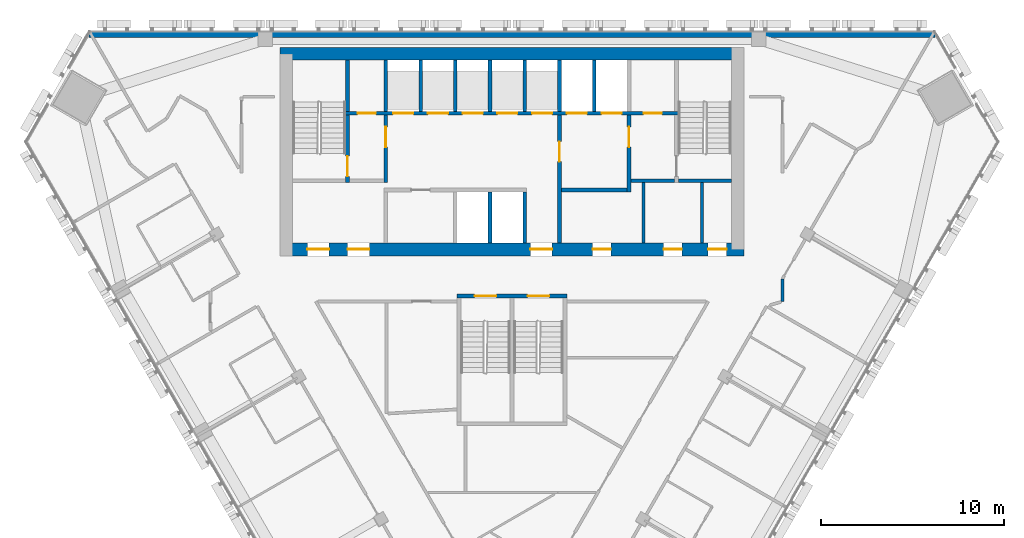
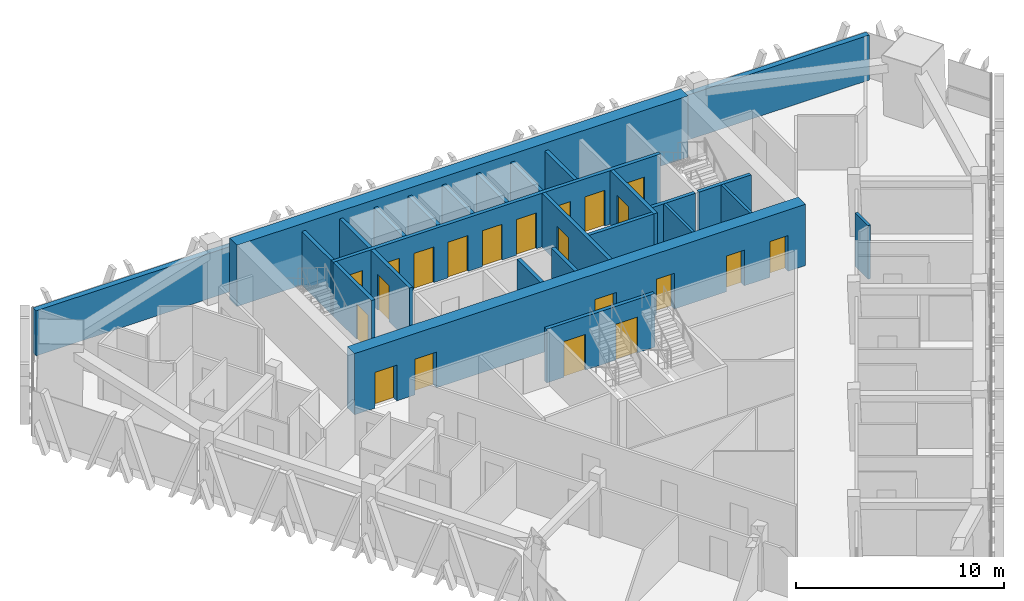
# One storey, part 11 of 16: 25 walls, 21 doors, 21 openings.
"""IFC4 building model written with IfcOpenShell, lengths in metres."""

from ifc_helpers import new_model, si_unit, direction, frame, frame_2d, origin, place, context, subcontext, project, spatial, rectangle, extrude, material, layer, layer_set, type_object, element, fill, save


model = new_model("IFC4")

# Units and contexts
model_context = context("Model", 3, precision=1e-05, world=origin(), true_north=direction((0.0, 1.0)))
body_context = subcontext(model_context, "Body", "Model", "MODEL_VIEW")
ifc_project = project(units=[si_unit("LENGTHUNIT", "METRE"), si_unit("AREAUNIT", "SQUARE_METRE"), si_unit("VOLUMEUNIT", "CUBIC_METRE"), si_unit("PLANEANGLEUNIT", "RADIAN"), si_unit("MASSUNIT", "GRAM", prefix="KILO")], contexts=[model_context])

# Site, building, storey
site_placement = place(None, origin())
site = spatial("IfcSite", under=ifc_project, at=site_placement, CompositionType="ELEMENT")
building_placement = place(site_placement, origin())
building = spatial("IfcBuilding", under=site, at=building_placement, Name="Altiplano Prism Tower", CompositionType="ELEMENT")
storey_placement = place(building_placement, frame((0.0, 0.0, 167.39990234375)))
storey = spatial("IfcBuildingStorey", under=building, at=storey_placement, Name="L43", CompositionType="ELEMENT", Elevation=167.39990234375)

# Wall, openings, doors
ifc_material_1 = material(Name="Concrete C60/75", Category="concrete")
ifc_layer_1 = layer(ifc_material_1, 0.699951171875)
ifc_layer_set_1 = layer_set([ifc_layer_1], Name="Concrete C60/75")
wall_type_1 = type_object("IfcWallType", Name="Core wall 700", PredefinedType="SHEAR", material=ifc_layer_set_1)
wall_1_placement = place(storey_placement, frame((72.64990234375, 93.050048828125, 0.0), z_axis=(0.0, 0.0, 1.0), x_axis=(1.0, 0.0, 0.0)))
wall_1 = element("IfcWall", 1, at=wall_1_placement, inside=storey, type_object=wall_type_1, Name="Core wall S L43", PredefinedType="SHEAR", context=body_context, shape_type="SweptSolid", body=[
    extrude(rectangle(XDim=25.050048828125, YDim=0.699951171875, at=frame_2d((12.52490234375, 0.0))), origin(), (0.0, 0.0, 1.0), 3.60009765625),
])
opening_1_placement = place(wall_1_placement, frame((1.14990234375, 0.0, 0.0)))
opening_1 = element("IfcOpeningElement", 2, at=opening_1_placement, cuts=wall_1, Name="Opening D3173", PredefinedType="OPENING", context=body_context, shape_type="SweptSolid", body=[
    extrude(rectangle(XDim=1.199951171875, YDim=2.10009765625, at=frame_2d((0.60009765625, 1.050048828125))), frame((0.0, 0.3603515625, 0.0), z_axis=(0.0, -1.0, 0.0), x_axis=(1.0, 0.0, 0.0)), (0.0, 0.0, 1.0), 0.720947265625),
])
opening_2_placement = place(wall_1_placement, frame((3.35009765625, 0.0, 0.0)))
opening_2 = element("IfcOpeningElement", 3, at=opening_2_placement, cuts=wall_1, Name="Opening D3174", PredefinedType="OPENING", context=body_context, shape_type="SweptSolid", body=[
    extrude(rectangle(XDim=1.199951171875, YDim=2.10009765625, at=frame_2d((0.60009765625, 1.050048828125))), frame((0.0, 0.3603515625, 0.0), z_axis=(0.0, -1.0, 0.0), x_axis=(1.0, 0.0, 0.0)), (0.0, 0.0, 1.0), 0.720947265625),
])
opening_3_placement = place(wall_1_placement, frame((13.35009765625, 0.0, 0.0)))
opening_3 = element("IfcOpeningElement", 4, at=opening_3_placement, cuts=wall_1, Name="Opening D3175", PredefinedType="OPENING", context=body_context, shape_type="SweptSolid", body=[
    extrude(rectangle(XDim=1.199951171875, YDim=2.10009765625, at=frame_2d((0.60009765625, 1.050048828125))), frame((0.0, 0.3603515625, 0.0), z_axis=(0.0, -1.0, 0.0), x_axis=(1.0, 0.0, 0.0)), (0.0, 0.0, 1.0), 0.720947265625),
])
opening_4_placement = place(wall_1_placement, frame((16.762451171875, 0.0, 0.0)))
opening_4 = element("IfcOpeningElement", 5, at=opening_4_placement, cuts=wall_1, Name="Opening D3178", PredefinedType="OPENING", context=body_context, shape_type="SweptSolid", body=[
    extrude(rectangle(XDim=1.0, YDim=2.10009765625, at=frame_2d((0.5, 1.050048828125))), frame((0.0, 0.3603515625, 0.0), z_axis=(0.0, -1.0, 0.0), x_axis=(1.0, 0.0, 0.0)), (0.0, 0.0, 1.0), 0.720947265625),
])
opening_5_placement = place(wall_1_placement, frame((20.64990234375, 0.0, 0.0)))
opening_5 = element("IfcOpeningElement", 6, at=opening_5_placement, cuts=wall_1, Name="Opening D3179", PredefinedType="OPENING", context=body_context, shape_type="SweptSolid", body=[
    extrude(rectangle(XDim=1.0, YDim=2.10009765625, at=frame_2d((0.5, 1.050048828125))), frame((0.0, 0.3603515625, 0.0), z_axis=(0.0, -1.0, 0.0), x_axis=(1.0, 0.0, 0.0)), (0.0, 0.0, 1.0), 0.720947265625),
])
opening_6_placement = place(wall_1_placement, frame((23.08740234375, 0.0, 0.0)))
opening_6 = element("IfcOpeningElement", 7, at=opening_6_placement, cuts=wall_1, Name="Opening D3180", PredefinedType="OPENING", context=body_context, shape_type="SweptSolid", body=[
    extrude(rectangle(XDim=1.0, YDim=2.10009765625, at=frame_2d((0.5, 1.050048828125))), frame((0.0, 0.3603515625, 0.0), z_axis=(0.0, -1.0, 0.0), x_axis=(1.0, 0.0, 0.0)), (0.0, 0.0, 1.0), 0.720947265625),
])
ifc_material_2 = material(Name="Fire-rated steel door", Category="steel")
door_type_1 = type_object("IfcDoorType", Name="Core room door 1000 x 2100", OperationType="NOTDEFINED", PredefinedType="NOTDEFINED", material=ifc_material_2)
door_1_placement = place(opening_4_placement, origin())
door_1 = element("IfcDoor", 8, at=door_1_placement, inside=storey, type_object=door_type_1, Name="Core room door D3178", OperationType="SINGLE_SWING_RIGHT", OverallHeight=2.10009765625, OverallWidth=1.0, PredefinedType="NOTDEFINED", context=body_context, shape_type="SweptSolid", body=[
    extrude(rectangle(XDim=1.0, YDim=2.10009765625, at=frame_2d((0.5, 1.050048828125))), frame((0.0, 0.02490234375, 0.0), z_axis=(0.0, -1.0, 0.0), x_axis=(1.0, 0.0, 0.0)), (0.0, 0.0, 1.0), 0.050048828125),
])
fill(opening_4, door_1)
door_2_placement = place(opening_5_placement, origin())
door_2 = element("IfcDoor", 9, at=door_2_placement, inside=storey, type_object=door_type_1, Name="Core room door D3179", OperationType="SINGLE_SWING_LEFT", OverallHeight=2.10009765625, OverallWidth=1.0, PredefinedType="NOTDEFINED", context=body_context, shape_type="SweptSolid", body=[
    extrude(rectangle(XDim=1.0, YDim=2.10009765625, at=frame_2d((0.5, 1.050048828125))), frame((0.0, 0.02490234375, 0.0), z_axis=(0.0, -1.0, 0.0), x_axis=(1.0, 0.0, 0.0)), (0.0, 0.0, 1.0), 0.050048828125),
])
fill(opening_5, door_2)
door_3_placement = place(opening_6_placement, origin())
door_3 = element("IfcDoor", 10, at=door_3_placement, inside=storey, type_object=door_type_1, Name="Core room door D3180", OperationType="SINGLE_SWING_RIGHT", OverallHeight=2.10009765625, OverallWidth=1.0, PredefinedType="NOTDEFINED", context=body_context, shape_type="SweptSolid", body=[
    extrude(rectangle(XDim=1.0, YDim=2.10009765625, at=frame_2d((0.5, 1.050048828125))), frame((0.0, 0.02490234375, 0.0), z_axis=(0.0, -1.0, 0.0), x_axis=(1.0, 0.0, 0.0)), (0.0, 0.0, 1.0), 0.050048828125),
])
fill(opening_6, door_3)
door_type_2 = type_object("IfcDoorType", Name="Lobby fire door 1200 x 2100", OperationType="NOTDEFINED", PredefinedType="NOTDEFINED", material=ifc_material_2)
door_4_placement = place(opening_1_placement, origin())
door_4 = element("IfcDoor", 11, at=door_4_placement, inside=storey, type_object=door_type_2, Name="Lobby fire door D3173", OperationType="SINGLE_SWING_RIGHT", OverallHeight=2.10009765625, OverallWidth=1.199951171875, PredefinedType="NOTDEFINED", context=body_context, shape_type="SweptSolid", body=[
    extrude(rectangle(XDim=1.199951171875, YDim=2.10009765625, at=frame_2d((0.60009765625, 1.050048828125))), frame((0.0, 0.02490234375, 0.0), z_axis=(0.0, -1.0, 0.0), x_axis=(1.0, 0.0, 0.0)), (0.0, 0.0, 1.0), 0.050048828125),
])
fill(opening_1, door_4)
door_5_placement = place(opening_2_placement, origin())
door_5 = element("IfcDoor", 12, at=door_5_placement, inside=storey, type_object=door_type_2, Name="Lobby fire door D3174", OperationType="SINGLE_SWING_LEFT", OverallHeight=2.10009765625, OverallWidth=1.199951171875, PredefinedType="NOTDEFINED", context=body_context, shape_type="SweptSolid", body=[
    extrude(rectangle(XDim=1.199951171875, YDim=2.10009765625, at=frame_2d((0.60009765625, 1.050048828125))), frame((0.0, 0.02490234375, 0.0), z_axis=(0.0, -1.0, 0.0), x_axis=(1.0, 0.0, 0.0)), (0.0, 0.0, 1.0), 0.050048828125),
])
fill(opening_2, door_5)
door_6_placement = place(opening_3_placement, origin())
door_6 = element("IfcDoor", 13, at=door_6_placement, inside=storey, type_object=door_type_2, Name="Lobby fire door D3175", OperationType="SINGLE_SWING_RIGHT", OverallHeight=2.10009765625, OverallWidth=1.199951171875, PredefinedType="NOTDEFINED", context=body_context, shape_type="SweptSolid", body=[
    extrude(rectangle(XDim=1.199951171875, YDim=2.10009765625, at=frame_2d((0.60009765625, 1.050048828125))), frame((0.0, 0.02490234375, 0.0), z_axis=(0.0, -1.0, 0.0), x_axis=(1.0, 0.0, 0.0)), (0.0, 0.0, 1.0), 0.050048828125),
])
fill(opening_3, door_6)

# Walls
wall_2_placement = place(storey_placement, frame((97.35009765625, 103.75, 0.0), z_axis=(0.0, 0.0, 1.0), x_axis=(-1.0, 0.0, 0.0)))
element("IfcWall", 14, at=wall_2_placement, inside=storey, type_object=wall_type_1, Name="Core wall N L43", PredefinedType="SHEAR", context=body_context, shape_type="SweptSolid", body=[
    extrude(rectangle(XDim=25.050048828125, YDim=0.699951171875, at=frame_2d((12.52490234375, 0.0))), origin(), (0.0, 0.0, 1.0), 3.60009765625),
])
ifc_material_3 = material(Name="Plasterboard on steel stud", Category="steel")
ifc_layer_2 = layer(ifc_material_3, 0.14990234375)
ifc_layer_set_2 = layer_set([ifc_layer_2], Name="Plasterboard on steel stud")
wall_type_2 = type_object("IfcWallType", Name="Partition 150 corridor", PredefinedType="PARTITIONING", material=ifc_layer_set_2)
wall_3_placement = place(storey_placement, frame((99.800048828125, 90.199951171875, 0.0), z_axis=(0.0, 0.0, 1.0), x_axis=(0.0, 1.0, 0.0)))
element("IfcWall", 15, at=wall_3_placement, inside=storey, type_object=wall_type_2, Name="Partition P06 L43 015", PredefinedType="PARTITIONING", context=body_context, shape_type="SweptSolid", body=[
    extrude(rectangle(XDim=1.240966796875, YDim=0.14990234375, at=frame_2d((0.62060546875, 0.0))), origin(), (0.0, 0.0, 1.0), 3.150146484375),
])
ifc_material_4 = material(Name="Fire-rated gypsum board partition")
ifc_layer_3 = layer(ifc_material_4, 0.14990234375)
ifc_layer_set_3 = layer_set([ifc_layer_3], Name="Fire-rated gypsum board partition")
wall_type_3 = type_object("IfcWallType", Name="Room partition 150", PredefinedType="PARTITIONING", material=ifc_layer_set_3)
for number, where, z_axis, x_axis, name in (
    (16, (92.199951171875, 93.39990234375, 0.0), (0.0, 0.0, 1.0), (0.0, 1.0, 0.0), "Room partition L43"),
    (17, (95.39990234375, 93.39990234375, 0.0), (0.0, 0.0, 1.0), (0.0, 1.0, 0.0), "Room partition L43"),
):
    element("IfcWall", number, at=place(storey_placement, frame(where, z_axis=z_axis, x_axis=x_axis)), inside=storey, type_object=wall_type_3, Name=name, PredefinedType="PARTITIONING", context=body_context, shape_type="SweptSolid", body=[
        extrude(rectangle(XDim=3.300048828125, YDim=0.14990234375, at=frame_2d((1.64990234375, 0.0))), origin(), (0.0, 0.0, 1.0), 3.150146484375),
    ])
ifc_layer_4 = layer(ifc_material_1, 0.199951171875)
ifc_layer_set_4 = layer_set([ifc_layer_4], Name="Concrete C60/75")
wall_type_4 = type_object("IfcWallType", Name="Shaft wall 200", PredefinedType="SOLIDWALL", material=ifc_layer_set_4)
for number, where, z_axis, x_axis, name in (
    (18, (83.800048828125, 93.39990234375, 0.0), (0.0, 0.0, 1.0), (0.0, 1.0, 0.0), "Shaft wall L43"),
    (19, (85.699951171875, 93.39990234375, 0.0), (0.0, 0.0, 1.0), (0.0, 1.0, 0.0), "Shaft wall L43"),
):
    element("IfcWall", number, at=place(storey_placement, frame(where, z_axis=z_axis, x_axis=x_axis)), inside=storey, type_object=wall_type_4, Name=name, PredefinedType="SOLIDWALL", context=body_context, shape_type="SweptSolid", body=[
        extrude(rectangle(XDim=2.800048828125, YDim=0.199951171875, at=frame_2d((1.39990234375, 0.0))), origin(), (0.0, 0.0, 1.0), 3.150146484375),
    ])
for number, where, z_axis, x_axis, name in (
    (20, (78.10009765625, 100.60009765625, 0.0), (0.0, 0.0, 1.0), (0.0, 1.0, 0.0), "Shaft wall L43"),
    (21, (80.0, 100.60009765625, 0.0), (0.0, 0.0, 1.0), (0.0, 1.0, 0.0), "Shaft wall L43"),
    (22, (81.89990234375, 100.60009765625, 0.0), (0.0, 0.0, 1.0), (0.0, 1.0, 0.0), "Shaft wall L43"),
    (23, (83.800048828125, 100.60009765625, 0.0), (0.0, 0.0, 1.0), (0.0, 1.0, 0.0), "Shaft wall L43"),
    (24, (85.699951171875, 100.60009765625, 0.0), (0.0, 0.0, 1.0), (0.0, 1.0, 0.0), "Shaft wall L43"),
    (25, (87.60009765625, 100.60009765625, 0.0), (0.0, 0.0, 1.0), (0.0, 1.0, 0.0), "Shaft wall L43"),
    (26, (89.5, 100.60009765625, 0.0), (0.0, 0.0, 1.0), (0.0, 1.0, 0.0), "Shaft wall L43"),
):
    element("IfcWall", number, at=place(storey_placement, frame(where, z_axis=z_axis, x_axis=x_axis)), inside=storey, type_object=wall_type_4, Name=name, PredefinedType="SOLIDWALL", context=body_context, shape_type="SweptSolid", body=[
        extrude(rectangle(XDim=2.7998046875, YDim=0.199951171875, at=frame_2d((1.39990234375, 0.0))), origin(), (0.0, 0.0, 1.0), 3.150146484375),
    ])

# Wall, opening, door
ifc_layer_5 = layer(ifc_material_1, 0.199951171875)
ifc_layer_set_5 = layer_set([ifc_layer_5], Name="Concrete C60/75")
wall_type_5 = type_object("IfcWallType", Name="Stair wall 200", PredefinedType="SOLIDWALL", material=ifc_layer_set_5)
wall_4_placement = place(storey_placement, frame((76.0, 96.699951171875, 0.0), z_axis=(0.0, 0.0, 1.0), x_axis=(0.0, 1.0, 0.0)))
wall_4 = element("IfcWall", 27, at=wall_4_placement, inside=storey, type_object=wall_type_5, Name="Stair wall L43", PredefinedType="SOLIDWALL", context=body_context, shape_type="SweptSolid", body=[
    extrude(rectangle(XDim=3.699951171875, YDim=0.199951171875, at=frame_2d((1.85009765625, 0.0))), origin(), (0.0, 0.0, 1.0), 3.150146484375),
])
opening_7_placement = place(wall_4_placement, frame((0.35009765625, 0.0, 0.0)))
opening_7 = element("IfcOpeningElement", 28, at=opening_7_placement, cuts=wall_4, Name="Opening D3168", PredefinedType="OPENING", context=body_context, shape_type="SweptSolid", body=[
    extrude(rectangle(XDim=1.10009765625, YDim=2.10009765625, at=frame_2d((0.550048828125, 1.050048828125))), frame((0.0, 0.1103515625, 0.0), z_axis=(0.0, -1.0, 0.0), x_axis=(1.0, 0.0, 0.0)), (0.0, 0.0, 1.0), 0.220947265625),
])
door_type_3 = type_object("IfcDoorType", Name="Stair fire door 1100 x 2100", OperationType="NOTDEFINED", PredefinedType="NOTDEFINED", material=ifc_material_2)
door_7_placement = place(opening_7_placement, origin())
door_7 = element("IfcDoor", 29, at=door_7_placement, inside=storey, type_object=door_type_3, Name="Stair fire door D3168", OperationType="SINGLE_SWING_RIGHT", OverallHeight=2.10009765625, OverallWidth=1.10009765625, PredefinedType="NOTDEFINED", context=body_context, shape_type="SweptSolid", body=[
    extrude(rectangle(XDim=1.10009765625, YDim=2.10009765625, at=frame_2d((0.550048828125, 1.050048828125))), frame((0.0, 0.02490234375, 0.0), z_axis=(0.0, -1.0, 0.0), x_axis=(1.0, 0.0, 0.0)), (0.0, 0.0, 1.0), 0.050048828125),
])
fill(opening_7, door_7)

# Wall
wall_5_placement = place(storey_placement, frame((94.10009765625, 96.800048828125, 0.0), z_axis=(0.0, 0.0, 1.0), x_axis=(1.0, 0.0, 0.0)))
element("IfcWall", 30, at=wall_5_placement, inside=storey, type_object=wall_type_5, Name="Stair wall L43", PredefinedType="SOLIDWALL", context=body_context, shape_type="SweptSolid", body=[
    extrude(rectangle(XDim=2.89990234375, YDim=0.199951171875, at=frame_2d((1.449951171875, 0.0))), origin(), (0.0, 0.0, 1.0), 3.150146484375),
])

# Wall, openings, doors
wall_6_placement = place(storey_placement, frame((75.89990234375, 100.5, 0.0), z_axis=(0.0, 0.0, 1.0), x_axis=(1.0, 0.0, 0.0)))
wall_6 = element("IfcWall", 31, at=wall_6_placement, inside=storey, type_object=wall_type_5, Name="Stair wall L43", PredefinedType="SOLIDWALL", context=body_context, shape_type="SweptSolid", body=[
    extrude(rectangle(XDim=18.2001953125, YDim=0.199951171875, at=frame_2d((9.10009765625, 0.0))), origin(), (0.0, 0.0, 1.0), 3.150146484375),
])
opening_8_placement = place(wall_6_placement, frame((2.60009765625, 0.0, 0.0)))
opening_8 = element("IfcOpeningElement", 32, at=opening_8_placement, cuts=wall_6, Name="Opening LD-ML1-L43", PredefinedType="OPENING", context=body_context, shape_type="SweptSolid", body=[
    extrude(rectangle(XDim=1.10009765625, YDim=2.10009765625, at=frame_2d((0.550048828125, 1.050048828125))), frame((0.0, 0.1103515625, 0.0), z_axis=(0.0, -1.0, 0.0), x_axis=(1.0, 0.0, 0.0)), (0.0, 0.0, 1.0), 0.220947265625),
])
opening_9_placement = place(wall_6_placement, frame((4.5, 0.0, 0.0)))
opening_9 = element("IfcOpeningElement", 33, at=opening_9_placement, cuts=wall_6, Name="Opening LD-ML2-L43", PredefinedType="OPENING", context=body_context, shape_type="SweptSolid", body=[
    extrude(rectangle(XDim=1.10009765625, YDim=2.10009765625, at=frame_2d((0.550048828125, 1.050048828125))), frame((0.0, 0.1103515625, 0.0), z_axis=(0.0, -1.0, 0.0), x_axis=(1.0, 0.0, 0.0)), (0.0, 0.0, 1.0), 0.220947265625),
])
opening_10_placement = place(wall_6_placement, frame((6.39990234375, 0.0, 0.0)))
opening_10 = element("IfcOpeningElement", 34, at=opening_10_placement, cuts=wall_6, Name="Opening LD-ML3-L43", PredefinedType="OPENING", context=body_context, shape_type="SweptSolid", body=[
    extrude(rectangle(XDim=1.10009765625, YDim=2.10009765625, at=frame_2d((0.550048828125, 1.050048828125))), frame((0.0, 0.1103515625, 0.0), z_axis=(0.0, -1.0, 0.0), x_axis=(1.0, 0.0, 0.0)), (0.0, 0.0, 1.0), 0.220947265625),
])
opening_11_placement = place(wall_6_placement, frame((8.300048828125, 0.0, 0.0)))
opening_11 = element("IfcOpeningElement", 35, at=opening_11_placement, cuts=wall_6, Name="Opening LD-ML4-L43", PredefinedType="OPENING", context=body_context, shape_type="SweptSolid", body=[
    extrude(rectangle(XDim=1.10009765625, YDim=2.10009765625, at=frame_2d((0.550048828125, 1.050048828125))), frame((0.0, 0.1103515625, 0.0), z_axis=(0.0, -1.0, 0.0), x_axis=(1.0, 0.0, 0.0)), (0.0, 0.0, 1.0), 0.220947265625),
])
opening_12_placement = place(wall_6_placement, frame((10.199951171875, 0.0, 0.0)))
opening_12 = element("IfcOpeningElement", 36, at=opening_12_placement, cuts=wall_6, Name="Opening LD-ML5-L43", PredefinedType="OPENING", context=body_context, shape_type="SweptSolid", body=[
    extrude(rectangle(XDim=1.10009765625, YDim=2.10009765625, at=frame_2d((0.550048828125, 1.050048828125))), frame((0.0, 0.1103515625, 0.0), z_axis=(0.0, -1.0, 0.0), x_axis=(1.0, 0.0, 0.0)), (0.0, 0.0, 1.0), 0.220947265625),
])
opening_13_placement = place(wall_6_placement, frame((12.10009765625, 0.0, 0.0)))
opening_13 = element("IfcOpeningElement", 37, at=opening_13_placement, cuts=wall_6, Name="Opening LD-FF1-L43", PredefinedType="OPENING", context=body_context, shape_type="SweptSolid", body=[
    extrude(rectangle(XDim=1.10009765625, YDim=2.10009765625, at=frame_2d((0.550048828125, 1.050048828125))), frame((0.0, 0.1103515625, 0.0), z_axis=(0.0, -1.0, 0.0), x_axis=(1.0, 0.0, 0.0)), (0.0, 0.0, 1.0), 0.220947265625),
])
opening_14_placement = place(wall_6_placement, frame((14.0, 0.0, 0.0)))
opening_14 = element("IfcOpeningElement", 38, at=opening_14_placement, cuts=wall_6, Name="Opening LD-FF2-L43", PredefinedType="OPENING", context=body_context, shape_type="SweptSolid", body=[
    extrude(rectangle(XDim=1.10009765625, YDim=2.10009765625, at=frame_2d((0.550048828125, 1.050048828125))), frame((0.0, 0.1103515625, 0.0), z_axis=(0.0, -1.0, 0.0), x_axis=(1.0, 0.0, 0.0)), (0.0, 0.0, 1.0), 0.220947265625),
])
opening_15_placement = place(wall_6_placement, frame((0.64990234375, 0.0, 0.0)))
opening_15 = element("IfcOpeningElement", 39, at=opening_15_placement, cuts=wall_6, Name="Opening D3176", PredefinedType="OPENING", context=body_context, shape_type="SweptSolid", body=[
    extrude(rectangle(XDim=1.0, YDim=2.10009765625, at=frame_2d((0.5, 1.050048828125))), frame((0.0, 0.1103515625, 0.0), z_axis=(0.0, -1.0, 0.0), x_axis=(1.0, 0.0, 0.0)), (0.0, 0.0, 1.0), 0.220947265625),
])
opening_16_placement = place(wall_6_placement, frame((16.300048828125, 0.0, 0.0)))
opening_16 = element("IfcOpeningElement", 40, at=opening_16_placement, cuts=wall_6, Name="Opening D3177", PredefinedType="OPENING", context=body_context, shape_type="SweptSolid", body=[
    extrude(rectangle(XDim=1.0, YDim=2.10009765625, at=frame_2d((0.5, 1.050048828125))), frame((0.0, 0.1103515625, 0.0), z_axis=(0.0, -1.0, 0.0), x_axis=(1.0, 0.0, 0.0)), (0.0, 0.0, 1.0), 0.220947265625),
])
door_8_placement = place(opening_15_placement, origin())
door_8 = element("IfcDoor", 41, at=door_8_placement, inside=storey, type_object=door_type_1, Name="Core room door D3176", OperationType="SINGLE_SWING_LEFT", OverallHeight=2.10009765625, OverallWidth=1.0, PredefinedType="NOTDEFINED", context=body_context, shape_type="SweptSolid", body=[
    extrude(rectangle(XDim=1.0, YDim=2.10009765625, at=frame_2d((0.5, 1.050048828125))), frame((0.0, 0.02490234375, 0.0), z_axis=(0.0, -1.0, 0.0), x_axis=(1.0, 0.0, 0.0)), (0.0, 0.0, 1.0), 0.050048828125),
])
fill(opening_15, door_8)
door_9_placement = place(opening_16_placement, origin())
door_9 = element("IfcDoor", 42, at=door_9_placement, inside=storey, type_object=door_type_1, Name="Core room door D3177", OperationType="SINGLE_SWING_RIGHT", OverallHeight=2.10009765625, OverallWidth=1.0, PredefinedType="NOTDEFINED", context=body_context, shape_type="SweptSolid", body=[
    extrude(rectangle(XDim=1.0, YDim=2.10009765625, at=frame_2d((0.5, 1.050048828125))), frame((0.0, 0.02490234375, 0.0), z_axis=(0.0, -1.0, 0.0), x_axis=(1.0, 0.0, 0.0)), (0.0, 0.0, 1.0), 0.050048828125),
])
fill(opening_16, door_9)
ifc_material_5 = material(Name="Stainless steel landing door", Category="steel")
door_type_4 = type_object("IfcDoorType", Name="Landing door 1100 x 2100", OperationType="NOTDEFINED", PredefinedType="NOTDEFINED", material=ifc_material_5)
door_10_placement = place(opening_8_placement, origin())
door_10 = element("IfcDoor", 43, at=door_10_placement, inside=storey, type_object=door_type_4, Name="Landing doors ML1", OperationType="SLIDING_TO_RIGHT", OverallHeight=2.10009765625, OverallWidth=1.10009765625, PredefinedType="NOTDEFINED", context=body_context, shape_type="SweptSolid", body=[
    extrude(rectangle(XDim=1.10009765625, YDim=2.10009765625, at=frame_2d((0.550048828125, 1.050048828125))), frame((0.0, 0.02490234375, 0.0), z_axis=(0.0, -1.0, 0.0), x_axis=(1.0, 0.0, 0.0)), (0.0, 0.0, 1.0), 0.050048828125),
])
fill(opening_8, door_10)
door_11_placement = place(opening_9_placement, origin())
door_11 = element("IfcDoor", 44, at=door_11_placement, inside=storey, type_object=door_type_4, Name="Landing doors ML2", OperationType="SLIDING_TO_LEFT", OverallHeight=2.10009765625, OverallWidth=1.10009765625, PredefinedType="NOTDEFINED", context=body_context, shape_type="SweptSolid", body=[
    extrude(rectangle(XDim=1.10009765625, YDim=2.10009765625, at=frame_2d((0.550048828125, 1.050048828125))), frame((0.0, 0.02490234375, 0.0), z_axis=(0.0, -1.0, 0.0), x_axis=(1.0, 0.0, 0.0)), (0.0, 0.0, 1.0), 0.050048828125),
])
fill(opening_9, door_11)
door_12_placement = place(opening_10_placement, origin())
door_12 = element("IfcDoor", 45, at=door_12_placement, inside=storey, type_object=door_type_4, Name="Landing doors ML3", OperationType="SLIDING_TO_RIGHT", OverallHeight=2.10009765625, OverallWidth=1.10009765625, PredefinedType="NOTDEFINED", context=body_context, shape_type="SweptSolid", body=[
    extrude(rectangle(XDim=1.10009765625, YDim=2.10009765625, at=frame_2d((0.550048828125, 1.050048828125))), frame((0.0, 0.02490234375, 0.0), z_axis=(0.0, -1.0, 0.0), x_axis=(1.0, 0.0, 0.0)), (0.0, 0.0, 1.0), 0.050048828125),
])
fill(opening_10, door_12)
door_13_placement = place(opening_11_placement, origin())
door_13 = element("IfcDoor", 46, at=door_13_placement, inside=storey, type_object=door_type_4, Name="Landing doors ML4", OperationType="SLIDING_TO_LEFT", OverallHeight=2.10009765625, OverallWidth=1.10009765625, PredefinedType="NOTDEFINED", context=body_context, shape_type="SweptSolid", body=[
    extrude(rectangle(XDim=1.10009765625, YDim=2.10009765625, at=frame_2d((0.550048828125, 1.050048828125))), frame((0.0, 0.02490234375, 0.0), z_axis=(0.0, -1.0, 0.0), x_axis=(1.0, 0.0, 0.0)), (0.0, 0.0, 1.0), 0.050048828125),
])
fill(opening_11, door_13)
door_14_placement = place(opening_12_placement, origin())
door_14 = element("IfcDoor", 47, at=door_14_placement, inside=storey, type_object=door_type_4, Name="Landing doors ML5", OperationType="SLIDING_TO_RIGHT", OverallHeight=2.10009765625, OverallWidth=1.10009765625, PredefinedType="NOTDEFINED", context=body_context, shape_type="SweptSolid", body=[
    extrude(rectangle(XDim=1.10009765625, YDim=2.10009765625, at=frame_2d((0.550048828125, 1.050048828125))), frame((0.0, 0.02490234375, 0.0), z_axis=(0.0, -1.0, 0.0), x_axis=(1.0, 0.0, 0.0)), (0.0, 0.0, 1.0), 0.050048828125),
])
fill(opening_12, door_14)
door_15_placement = place(opening_13_placement, origin())
door_15 = element("IfcDoor", 48, at=door_15_placement, inside=storey, type_object=door_type_4, Name="Landing doors FF1", OperationType="SLIDING_TO_RIGHT", OverallHeight=2.10009765625, OverallWidth=1.10009765625, PredefinedType="NOTDEFINED", context=body_context, shape_type="SweptSolid", body=[
    extrude(rectangle(XDim=1.10009765625, YDim=2.10009765625, at=frame_2d((0.550048828125, 1.050048828125))), frame((0.0, 0.02490234375, 0.0), z_axis=(0.0, -1.0, 0.0), x_axis=(1.0, 0.0, 0.0)), (0.0, 0.0, 1.0), 0.050048828125),
])
fill(opening_13, door_15)
door_16_placement = place(opening_14_placement, origin())
door_16 = element("IfcDoor", 49, at=door_16_placement, inside=storey, type_object=door_type_4, Name="Landing doors FF2", OperationType="SLIDING_TO_LEFT", OverallHeight=2.10009765625, OverallWidth=1.10009765625, PredefinedType="NOTDEFINED", context=body_context, shape_type="SweptSolid", body=[
    extrude(rectangle(XDim=1.10009765625, YDim=2.10009765625, at=frame_2d((0.550048828125, 1.050048828125))), frame((0.0, 0.02490234375, 0.0), z_axis=(0.0, -1.0, 0.0), x_axis=(1.0, 0.0, 0.0)), (0.0, 0.0, 1.0), 0.050048828125),
])
fill(opening_14, door_16)

# Wall
wall_7_placement = place(storey_placement, frame((76.0, 100.60009765625, 0.0), z_axis=(0.0, 0.0, 1.0), x_axis=(0.0, 1.0, 0.0)))
element("IfcWall", 50, at=wall_7_placement, inside=storey, type_object=wall_type_5, Name="Stair wall L43", PredefinedType="SOLIDWALL", context=body_context, shape_type="SweptSolid", body=[
    extrude(rectangle(XDim=2.7998046875, YDim=0.199951171875, at=frame_2d((1.39990234375, 0.0))), origin(), (0.0, 0.0, 1.0), 3.150146484375),
])

# Wall, openings, doors
wall_8_placement = place(storey_placement, frame((82.0, 90.5, 0.0), z_axis=(0.0, 0.0, 1.0), x_axis=(1.0, 0.0, 0.0)))
wall_8 = element("IfcWall", 51, at=wall_8_placement, inside=storey, type_object=wall_type_5, Name="Stair 3 wall north L43", PredefinedType="SOLIDWALL", context=body_context, shape_type="SweptSolid", body=[
    extrude(rectangle(XDim=6.0, YDim=0.199951171875, at=frame_2d((3.0, 0.0))), origin(), (0.0, 0.0, 1.0), 3.150146484375),
])
opening_17_placement = place(wall_8_placement, frame((0.949951171875, 0.0, 0.0)))
opening_17 = element("IfcOpeningElement", 52, at=opening_17_placement, cuts=wall_8, Name="Opening D4008", PredefinedType="OPENING", context=body_context, shape_type="SweptSolid", body=[
    extrude(rectangle(XDim=1.199951171875, YDim=2.10009765625, at=frame_2d((0.60009765625, 1.050048828125))), frame((0.0, 0.1103515625, 0.0), z_axis=(0.0, -1.0, 0.0), x_axis=(1.0, 0.0, 0.0)), (0.0, 0.0, 1.0), 0.220947265625),
])
opening_18_placement = place(wall_8_placement, frame((3.85009765625, 0.0, 0.0)))
opening_18 = element("IfcOpeningElement", 53, at=opening_18_placement, cuts=wall_8, Name="Opening D4009", PredefinedType="OPENING", context=body_context, shape_type="SweptSolid", body=[
    extrude(rectangle(XDim=1.199951171875, YDim=2.10009765625, at=frame_2d((0.60009765625, 1.050048828125))), frame((0.0, 0.1103515625, 0.0), z_axis=(0.0, -1.0, 0.0), x_axis=(1.0, 0.0, 0.0)), (0.0, 0.0, 1.0), 0.220947265625),
])
door_type_5 = type_object("IfcDoorType", Name="Stair fire door 1200 x 2100", OperationType="NOTDEFINED", PredefinedType="NOTDEFINED", material=ifc_material_2)
door_17_placement = place(opening_17_placement, origin())
door_17 = element("IfcDoor", 54, at=door_17_placement, inside=storey, type_object=door_type_5, Name="Stair fire door D4008", OperationType="SINGLE_SWING_LEFT", OverallHeight=2.10009765625, OverallWidth=1.199951171875, PredefinedType="NOTDEFINED", context=body_context, shape_type="SweptSolid", body=[
    extrude(rectangle(XDim=1.199951171875, YDim=2.10009765625, at=frame_2d((0.60009765625, 1.050048828125))), frame((0.0, 0.02490234375, 0.0), z_axis=(0.0, -1.0, 0.0), x_axis=(1.0, 0.0, 0.0)), (0.0, 0.0, 1.0), 0.050048828125),
])
fill(opening_17, door_17)
door_18_placement = place(opening_18_placement, origin())
door_18 = element("IfcDoor", 55, at=door_18_placement, inside=storey, type_object=door_type_5, Name="Stair fire door D4009", OperationType="SINGLE_SWING_LEFT", OverallHeight=2.10009765625, OverallWidth=1.199951171875, PredefinedType="NOTDEFINED", context=body_context, shape_type="SweptSolid", body=[
    extrude(rectangle(XDim=1.199951171875, YDim=2.10009765625, at=frame_2d((0.60009765625, 1.050048828125))), frame((0.0, 0.02490234375, 0.0), z_axis=(0.0, -1.0, 0.0), x_axis=(1.0, 0.0, 0.0)), (0.0, 0.0, 1.0), 0.050048828125),
])
fill(opening_18, door_18)

# Wall
ifc_material_6 = material(Name="Concrete C40", Category="concrete")
ifc_layer_6 = layer(ifc_material_6, 0.300048828125)
ifc_layer_set_6 = layer_set([ifc_layer_6], Name="Concrete C40")
wall_type_6 = type_object("IfcWallType", Name="Stone-clad external wall 300", PredefinedType="SOLIDWALL", material=ifc_layer_set_6)
wall_9_placement = place(storey_placement, frame((61.8642578125, 104.7900390625, 0.0), z_axis=(0.0, 0.0, 1.0), x_axis=(1.0, 0.0, 0.0)))
element("IfcWall", 56, at=wall_9_placement, inside=storey, type_object=wall_type_6, Name="External wall north face L43", PredefinedType="SOLIDWALL", context=body_context, shape_type="SweptSolid", body=[
    extrude(rectangle(XDim=46.271484375, YDim=0.300048828125, at=frame_2d((23.1357421875, 0.0))), origin(), (0.0, 0.0, 1.0), 2.650146484375),
])

# Wall, opening, door
ifc_layer_7 = layer(ifc_material_1, 0.199951171875)
ifc_layer_set_7 = layer_set([ifc_layer_7], Name="Concrete C60/75")
wall_type_7 = type_object("IfcWallType", Name="Vestibule wall 200", PredefinedType="PARTITIONING", material=ifc_layer_set_7)
wall_10_placement = place(storey_placement, frame((87.60009765625, 93.39990234375, 0.0), z_axis=(0.0, 0.0, 1.0), x_axis=(0.0, 1.0, 0.0)))
wall_10 = element("IfcWall", 57, at=wall_10_placement, inside=storey, type_object=wall_type_7, Name="Vestibule wall L43", PredefinedType="PARTITIONING", context=body_context, shape_type="SweptSolid", body=[
    extrude(rectangle(XDim=7.0, YDim=0.199951171875, at=frame_2d((3.5, 0.0))), origin(), (0.0, 0.0, 1.0), 3.150146484375),
])
opening_19_placement = place(wall_10_placement, frame((4.449951171875, 0.0, 0.0)))
opening_19 = element("IfcOpeningElement", 58, at=opening_19_placement, cuts=wall_10, Name="Opening D3171", PredefinedType="OPENING", context=body_context, shape_type="SweptSolid", body=[
    extrude(rectangle(XDim=1.10009765625, YDim=2.10009765625, at=frame_2d((0.550048828125, 1.050048828125))), frame((0.0, 0.1103515625, 0.0), z_axis=(0.0, -1.0, 0.0), x_axis=(1.0, 0.0, 0.0)), (0.0, 0.0, 1.0), 0.220947265625),
])
door_type_6 = type_object("IfcDoorType", Name="Vestibule fire door 1100 x 2100", OperationType="NOTDEFINED", PredefinedType="NOTDEFINED", material=ifc_material_2)
door_19_placement = place(opening_19_placement, origin())
door_19 = element("IfcDoor", 59, at=door_19_placement, inside=storey, type_object=door_type_6, Name="Vestibule fire door D3171", OperationType="SINGLE_SWING_RIGHT", OverallHeight=2.10009765625, OverallWidth=1.10009765625, PredefinedType="NOTDEFINED", context=body_context, shape_type="SweptSolid", body=[
    extrude(rectangle(XDim=1.10009765625, YDim=2.10009765625, at=frame_2d((0.550048828125, 1.050048828125))), frame((0.0, 0.02490234375, 0.0), z_axis=(0.0, -1.0, 0.0), x_axis=(1.0, 0.0, 0.0)), (0.0, 0.0, 1.0), 0.050048828125),
])
fill(opening_19, door_19)

# Wall
wall_11_placement = place(storey_placement, frame((87.699951171875, 96.300048828125, 0.0), z_axis=(0.0, 0.0, 1.0), x_axis=(1.0, 0.0, 0.0)))
element("IfcWall", 60, at=wall_11_placement, inside=storey, type_object=wall_type_7, Name="Vestibule wall L43", PredefinedType="PARTITIONING", context=body_context, shape_type="SweptSolid", body=[
    extrude(rectangle(XDim=3.60009765625, YDim=0.199951171875, at=frame_2d((1.800048828125, 0.0))), origin(), (0.0, 0.0, 1.0), 3.150146484375),
])

# Wall, opening, door
wall_12_placement = place(storey_placement, frame((91.39990234375, 96.199951171875, 0.0), z_axis=(0.0, 0.0, 1.0), x_axis=(0.0, 1.0, 0.0)))
wall_12 = element("IfcWall", 61, at=wall_12_placement, inside=storey, type_object=wall_type_7, Name="Vestibule wall L43", PredefinedType="PARTITIONING", context=body_context, shape_type="SweptSolid", body=[
    extrude(rectangle(XDim=4.199951171875, YDim=0.199951171875, at=frame_2d((2.10009765625, 0.0))), origin(), (0.0, 0.0, 1.0), 3.150146484375),
])
opening_20_placement = place(wall_12_placement, frame((2.449951171875, 0.0, 0.0)))
opening_20 = element("IfcOpeningElement", 62, at=opening_20_placement, cuts=wall_12, Name="Opening D3172", PredefinedType="OPENING", context=body_context, shape_type="SweptSolid", body=[
    extrude(rectangle(XDim=1.10009765625, YDim=2.10009765625, at=frame_2d((0.550048828125, 1.050048828125))), frame((0.0, 0.1103515625, 0.0), z_axis=(0.0, -1.0, 0.0), x_axis=(1.0, 0.0, 0.0)), (0.0, 0.0, 1.0), 0.220947265625),
])
door_20_placement = place(opening_20_placement, origin())
door_20 = element("IfcDoor", 63, at=door_20_placement, inside=storey, type_object=door_type_6, Name="Vestibule fire door D3172", OperationType="SINGLE_SWING_LEFT", OverallHeight=2.10009765625, OverallWidth=1.10009765625, PredefinedType="NOTDEFINED", context=body_context, shape_type="SweptSolid", body=[
    extrude(rectangle(XDim=1.10009765625, YDim=2.10009765625, at=frame_2d((0.550048828125, 1.050048828125))), frame((0.0, 0.02490234375, 0.0), z_axis=(0.0, -1.0, 0.0), x_axis=(1.0, 0.0, 0.0)), (0.0, 0.0, 1.0), 0.050048828125),
])
fill(opening_20, door_20)

wall_13_placement = place(storey_placement, frame((78.10009765625, 96.699951171875, 0.0), z_axis=(0.0, 0.0, 1.0), x_axis=(0.0, 1.0, 0.0)))
wall_13 = element("IfcWall", 64, at=wall_13_placement, inside=storey, type_object=wall_type_7, Name="Vestibule wall L43", PredefinedType="PARTITIONING", context=body_context, shape_type="SweptSolid", body=[
    extrude(rectangle(XDim=3.699951171875, YDim=0.199951171875, at=frame_2d((1.85009765625, 0.0))), origin(), (0.0, 0.0, 1.0), 3.150146484375),
])
opening_21_placement = place(wall_13_placement, frame((1.949951171875, 0.0, 0.0)))
opening_21 = element("IfcOpeningElement", 65, at=opening_21_placement, cuts=wall_13, Name="Opening D3170", PredefinedType="OPENING", context=body_context, shape_type="SweptSolid", body=[
    extrude(rectangle(XDim=1.10009765625, YDim=2.10009765625, at=frame_2d((0.550048828125, 1.050048828125))), frame((0.0, 0.1103515625, 0.0), z_axis=(0.0, -1.0, 0.0), x_axis=(1.0, 0.0, 0.0)), (0.0, 0.0, 1.0), 0.220947265625),
])
door_21_placement = place(opening_21_placement, origin())
door_21 = element("IfcDoor", 66, at=door_21_placement, inside=storey, type_object=door_type_6, Name="Vestibule fire door D3170", OperationType="SINGLE_SWING_LEFT", OverallHeight=2.10009765625, OverallWidth=1.10009765625, PredefinedType="NOTDEFINED", context=body_context, shape_type="SweptSolid", body=[
    extrude(rectangle(XDim=1.10009765625, YDim=2.10009765625, at=frame_2d((0.550048828125, 1.050048828125))), frame((0.0, 0.02490234375, 0.0), z_axis=(0.0, -1.0, 0.0), x_axis=(1.0, 0.0, 0.0)), (0.0, 0.0, 1.0), 0.050048828125),
])
fill(opening_21, door_21)

# Wall
wall_14_placement = place(storey_placement, frame((91.5, 96.800048828125, 0.0), z_axis=(0.0, 0.0, 1.0), x_axis=(1.0, 0.0, 0.0)))
element("IfcWall", 67, at=wall_14_placement, inside=storey, type_object=wall_type_7, Name="Vestibule wall L43", PredefinedType="PARTITIONING", context=body_context, shape_type="SweptSolid", body=[
    extrude(rectangle(XDim=2.39990234375, YDim=0.199951171875, at=frame_2d((1.199951171875, 0.0))), origin(), (0.0, 0.0, 1.0), 3.150146484375),
])

save(model, "model.ifc")
